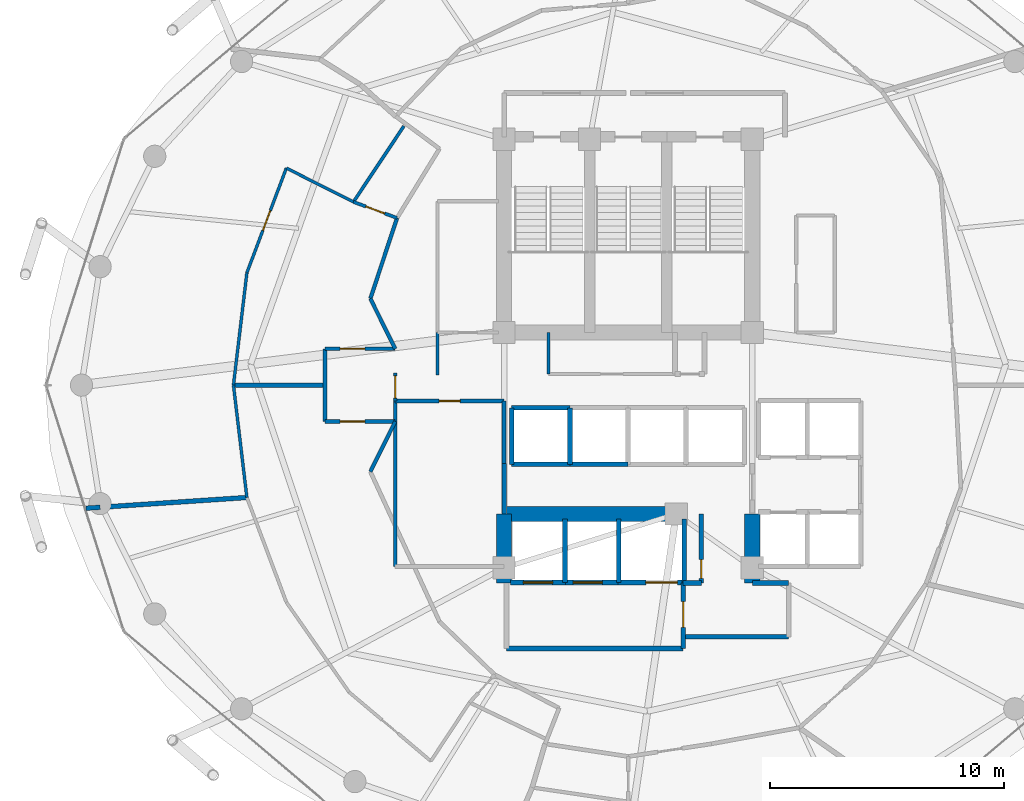
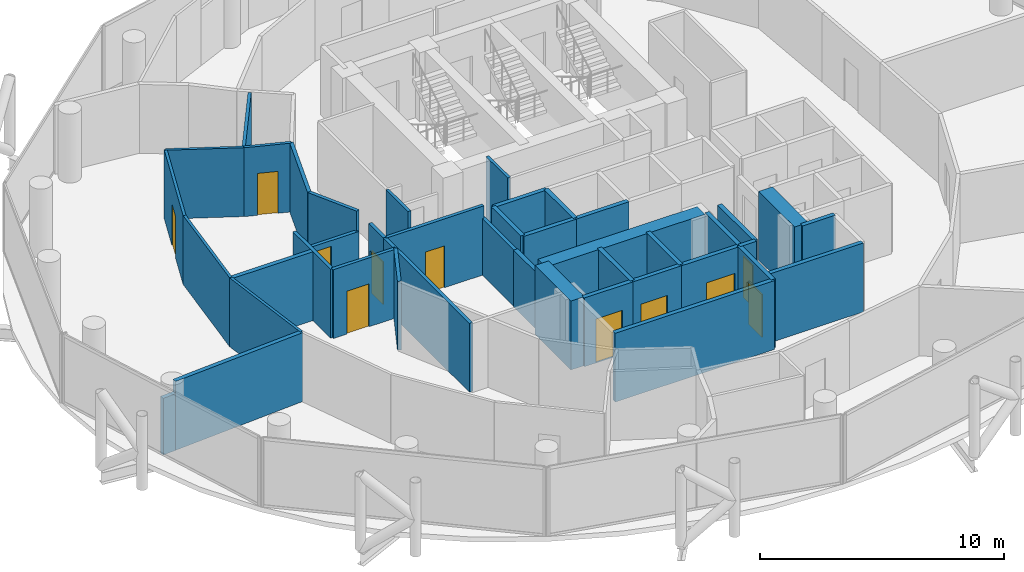
# One storey, part 22 of 27: 42 walls, 11 doors, 11 openings.
"""IFC4 building model written with IfcOpenShell, lengths in metres."""

from ifc_helpers import new_model, si_unit, direction, frame, frame_2d, origin, place, context, subcontext, project, spatial, rectangle, extrude, material, layer, layer_set, type_object, element, fill, save


model = new_model("IFC4")

# Units and contexts
model_context = context("Model", 3, precision=1e-05, world=origin(), true_north=direction((0.0, 1.0)))
body_context = subcontext(model_context, "Body", "Model", "MODEL_VIEW")
ifc_project = project(units=[si_unit("LENGTHUNIT", "METRE"), si_unit("AREAUNIT", "SQUARE_METRE"), si_unit("VOLUMEUNIT", "CUBIC_METRE"), si_unit("PLANEANGLEUNIT", "RADIAN"), si_unit("MASSUNIT", "GRAM", prefix="KILO")], contexts=[model_context])

# Site, building, storey
site_placement = place(None, origin())
site = spatial("IfcSite", under=ifc_project, at=site_placement, CompositionType="ELEMENT")
building_placement = place(site_placement, origin())
building = spatial("IfcBuilding", under=site, at=building_placement, Name="Nuhasar Tower", CompositionType="ELEMENT")
storey_placement = place(building_placement, frame((0.0, 0.0, 158.949951171875)))
storey = spatial("IfcBuildingStorey", under=building, at=storey_placement, Name="L38", CompositionType="ELEMENT", Elevation=158.949951171875)

# Walls
ifc_material_1 = material(Name="Concrete C65/80", Category="concrete")
ifc_layer_1 = layer(ifc_material_1, 0.64990234375)
ifc_layer_set_1 = layer_set([ifc_layer_1], Name="Concrete C65/80")
wall_type_1 = type_object("IfcWallType", Name="WL-CORE-650", PredefinedType="SHEAR", material=ifc_layer_set_1)
for number, where, z_axis, x_axis, name in (
    (1, (33.699951171875, 18.35009765625, 0.0), (0.0, 0.0, 1.0), (0.0, 1.0, 0.0), "L38 Core Shear Wall CW-SW CW-650"),
    (2, (44.300048828125, 18.35009765625, 0.0), (0.0, 0.0, 1.0), (0.0, 1.0, 0.0), "L38 Core Shear Wall CW-SE CW-650"),
):
    element("IfcWall", number, at=place(storey_placement, frame(where, z_axis=z_axis, x_axis=x_axis)), inside=storey, type_object=wall_type_1, Name=name, PredefinedType="SHEAR", context=body_context, shape_type="SweptSolid", body=[
        extrude(rectangle(XDim=2.949951171875, YDim=0.64990234375, at=frame_2d((1.47509765625, 0.0))), origin(), (0.0, 0.0, 1.0), 3.449951171875),
    ])
wall_1_placement = place(storey_placement, frame((33.699951171875, 21.300048828125, 0.0), z_axis=(0.0, 0.0, 1.0), x_axis=(1.0, 0.0, 0.0)))
element("IfcWall", 3, at=wall_1_placement, inside=storey, type_object=wall_type_1, Name="L38 Core Shear Wall CW-S1 CW-650", PredefinedType="SHEAR", context=body_context, shape_type="SweptSolid", body=[
    extrude(rectangle(XDim=7.550048828125, YDim=0.64990234375, at=frame_2d((3.77490234375, 0.0))), origin(), (0.0, 0.0, 1.0), 3.449951171875),
])
ifc_material_2 = material(Name="Gypsum Board", Category="gypsum")
ifc_layer_2 = layer(ifc_material_2, 0.159912109375)
ifc_layer_set_2 = layer_set([ifc_layer_2], Name="Gypsum Board")
wall_type_2 = type_object("IfcWallType", Name="WL-CORR-160", PredefinedType="PARTITIONING", material=ifc_layer_set_2)
wall_2_placement = place(storey_placement, frame((29.050048828125, 19.050048828125, 0.0), z_axis=(0.0, 0.0, 1.0), x_axis=(0.0, 1.0, 0.0)))
element("IfcWall", 4, at=wall_2_placement, inside=storey, type_object=wall_type_2, Name="L38 Interior Partition RECL-B1-W", PredefinedType="PARTITIONING", context=body_context, shape_type="SweptSolid", body=[
    extrude(rectangle(XDim=7.070068359375, YDim=0.159912109375, at=frame_2d((3.53515625, 0.0))), origin(), (0.0, 0.0, 1.0), 3.449951171875),
])
wall_3_placement = place(storey_placement, frame((33.699951171875, 23.449951171875, 0.0), z_axis=(0.0, 0.0, 1.0), x_axis=(0.0, 1.0, 0.0)))
element("IfcWall", 5, at=wall_3_placement, inside=storey, type_object=wall_type_2, Name="L38 Interior Partition RECL-B1-E", PredefinedType="PARTITIONING", context=body_context, shape_type="SweptSolid", body=[
    extrude(rectangle(XDim=2.670166015625, YDim=0.159912109375, at=frame_2d((1.3349609375, 0.0))), origin(), (0.0, 0.0, 1.0), 2.8349609375),
])

# Wall, opening, door
wall_4_placement = place(storey_placement, frame((33.699951171875, 26.1201171875, 0.0), z_axis=(0.0, 0.0, 1.0), x_axis=(-1.0, 0.0, 0.0)))
wall_4 = element("IfcWall", 6, at=wall_4_placement, inside=storey, type_object=wall_type_2, Name="L38 Interior Partition RECL-B1-N", PredefinedType="PARTITIONING", context=body_context, shape_type="SweptSolid", body=[
    extrude(rectangle(XDim=4.64990234375, YDim=0.159912109375, at=frame_2d((2.324951171875, 0.0))), origin(), (0.0, 0.0, 1.0), 3.449951171875),
])
opening_1_placement = place(wall_4_placement, frame((1.875, 0.0, 0.0)))
opening_1 = element("IfcOpeningElement", 7, at=opening_1_placement, cuts=wall_4, Name="Opening DR-01", PredefinedType="OPENING", context=body_context, shape_type="SweptSolid", body=[
    extrude(rectangle(XDim=0.89990234375, YDim=2.10009765625, at=frame_2d((0.449951171875, 1.050048828125))), frame((0.0, 0.08984375, 0.0), z_axis=(0.0, -1.0, 0.0), x_axis=(1.0, 0.0, 0.0)), (0.0, 0.0, 1.0), 0.179931640625),
])
ifc_material_3 = material(Name="Timber Oak", Category="wood")
door_type_1 = type_object("IfcDoorType", Name="DR-ROOM-900", OperationType="NOTDEFINED", PredefinedType="DOOR", material=ifc_material_3)
door_1_placement = place(opening_1_placement, origin())
door_1 = element("IfcDoor", 8, at=door_1_placement, inside=storey, type_object=door_type_1, Name="L38 Butler Store Door", OperationType="SINGLE_SWING_RIGHT", OverallHeight=2.10009765625, OverallWidth=0.89990234375, PredefinedType="DOOR", context=body_context, shape_type="SweptSolid", body=[
    extrude(rectangle(XDim=0.89990234375, YDim=2.10009765625, at=frame_2d((0.449951171875, 1.050048828125))), frame((0.0, 0.02490234375, 0.0), z_axis=(0.0, -1.0, 0.0), x_axis=(1.0, 0.0, 0.0)), (0.0, 0.0, 1.0), 0.050048828125),
])
fill(opening_1, door_1)

wall_5_placement = place(storey_placement, frame((29.050048828125, 26.1201171875, 0.0), z_axis=(0.0, 0.0, 1.0), x_axis=(0.0, 1.0, 0.0)))
wall_5 = element("IfcWall", 9, at=wall_5_placement, inside=storey, type_object=wall_type_2, Name="L38 Interior Partition WVEST-E", PredefinedType="PARTITIONING", context=body_context, shape_type="SweptSolid", body=[
    extrude(rectangle(XDim=1.199951171875, YDim=0.159912109375, at=frame_2d((0.60009765625, 0.0))), origin(), (0.0, 0.0, 1.0), 3.449951171875),
])
opening_2_placement = place(wall_5_placement, frame((0.125, 0.0, 0.0)))
opening_2 = element("IfcOpeningElement", 10, at=opening_2_placement, cuts=wall_5, Name="Opening DO-01", PredefinedType="OPENING", context=body_context, shape_type="SweptSolid", body=[
    extrude(rectangle(XDim=0.949951171875, YDim=2.14990234375, at=frame_2d((0.47509765625, 1.074951171875))), frame((0.0, 0.08984375, 0.0), z_axis=(0.0, -1.0, 0.0), x_axis=(1.0, 0.0, 0.0)), (0.0, 0.0, 1.0), 0.179931640625),
])
door_type_2 = type_object("IfcDoorType", Name="DR-OFFICE-FD30-950", OperationType="NOTDEFINED", PredefinedType="DOOR", material=ifc_material_3)
door_2_placement = place(opening_2_placement, origin())
door_2 = element("IfcDoor", 11, at=door_2_placement, inside=storey, type_object=door_type_2, Name="L38 West Arrival Foyer Core Door", OperationType="SINGLE_SWING_RIGHT", OverallHeight=2.14990234375, OverallWidth=0.949951171875, PredefinedType="DOOR", context=body_context, shape_type="SweptSolid", body=[
    extrude(rectangle(XDim=0.949951171875, YDim=2.14990234375, at=frame_2d((0.47509765625, 1.074951171875))), frame((0.0, 0.02490234375, 0.0), z_axis=(0.0, -1.0, 0.0), x_axis=(1.0, 0.0, 0.0)), (0.0, 0.0, 1.0), 0.050048828125),
])
fill(opening_2, door_2)

# Wall
wall_6_placement = place(storey_placement, frame((29.126953125, 33.93994140625, 0.0), z_axis=(0.0, 0.0, 1.0), x_axis=(-0.313985571683, -0.949427754374, 0.0)))
element("IfcWall", 12, at=wall_6_placement, inside=storey, type_object=wall_type_2, Name="L38 Interior Partition HWEST-CORE-N-20", PredefinedType="PARTITIONING", context=body_context, shape_type="SweptSolid", body=[
    extrude(rectangle(XDim=3.627197265625, YDim=0.159912109375, at=frame_2d((1.8134765625, 0.0))), origin(), (0.0, 0.0, 1.0), 3.449951171875),
])

# Wall, opening, door
wall_7_placement = place(storey_placement, frame((26.050048828125, 28.35009765625, 0.0), z_axis=(0.0, 0.0, 1.0), x_axis=(1.0, 0.0, 0.0)))
wall_7 = element("IfcWall", 13, at=wall_7_placement, inside=storey, type_object=wall_type_2, Name="L38 Interior Partition WVEST-N", PredefinedType="PARTITIONING", context=body_context, shape_type="SweptSolid", body=[
    extrude(rectangle(XDim=3.0, YDim=0.159912109375, at=frame_2d((1.5, 0.0))), origin(), (0.0, 0.0, 1.0), 2.43994140625),
])
opening_3_placement = place(wall_7_placement, frame((0.64990234375, 0.0, 0.0)))
opening_3 = element("IfcOpeningElement", 14, at=opening_3_placement, cuts=wall_7, Name="Opening DU-01", PredefinedType="OPENING", context=body_context, shape_type="SweptSolid", body=[
    extrude(rectangle(XDim=1.050048828125, YDim=2.14990234375, at=frame_2d((0.52490234375, 1.074951171875))), frame((0.0, 0.08984375, 0.0), z_axis=(0.0, -1.0, 0.0), x_axis=(1.0, 0.0, 0.0)), (0.0, 0.0, 1.0), 0.179931640625),
])
door_type_3 = type_object("IfcDoorType", Name="DR-SUITE-FD60-1050", OperationType="NOTDEFINED", PredefinedType="DOOR", material=ifc_material_3)
door_3_placement = place(opening_3_placement, origin())
door_3 = element("IfcDoor", 15, at=door_3_placement, inside=storey, type_object=door_type_3, Name="L38 North-West Sunset Suite Entrance", OperationType="SINGLE_SWING_LEFT", OverallHeight=2.14990234375, OverallWidth=1.050048828125, PredefinedType="DOOR", context=body_context, shape_type="SweptSolid", body=[
    extrude(rectangle(XDim=1.050048828125, YDim=2.14990234375, at=frame_2d((0.52490234375, 1.074951171875))), frame((0.0, 0.02490234375, 0.0), z_axis=(0.0, -1.0, 0.0), x_axis=(1.0, 0.0, 0.0)), (0.0, 0.0, 1.0), 0.050048828125),
])
fill(opening_3, door_3)

wall_8_placement = place(storey_placement, frame((26.050048828125, 25.25, 0.0), z_axis=(0.0, 0.0, 1.0), x_axis=(1.0, 0.0, 0.0)))
wall_8 = element("IfcWall", 16, at=wall_8_placement, inside=storey, type_object=wall_type_2, Name="L38 Interior Partition WVEST-S", PredefinedType="PARTITIONING", context=body_context, shape_type="SweptSolid", body=[
    extrude(rectangle(XDim=3.0, YDim=0.159912109375, at=frame_2d((1.5, 0.0))), origin(), (0.0, 0.0, 1.0), 3.449951171875),
])
opening_4_placement = place(wall_8_placement, frame((0.64990234375, 0.0, 0.0)))
opening_4 = element("IfcOpeningElement", 17, at=opening_4_placement, cuts=wall_8, Name="Opening DU-01", PredefinedType="OPENING", context=body_context, shape_type="SweptSolid", body=[
    extrude(rectangle(XDim=1.050048828125, YDim=2.14990234375, at=frame_2d((0.52490234375, 1.074951171875))), frame((0.0, 0.08984375, 0.0), z_axis=(0.0, -1.0, 0.0), x_axis=(1.0, 0.0, 0.0)), (0.0, 0.0, 1.0), 0.179931640625),
])
door_4_placement = place(opening_4_placement, origin())
door_4 = element("IfcDoor", 18, at=door_4_placement, inside=storey, type_object=door_type_3, Name="L38 South-West Presidential Suite Entrance", OperationType="SINGLE_SWING_LEFT", OverallHeight=2.14990234375, OverallWidth=1.050048828125, PredefinedType="DOOR", context=body_context, shape_type="SweptSolid", body=[
    extrude(rectangle(XDim=1.050048828125, YDim=2.14990234375, at=frame_2d((0.52490234375, 1.074951171875))), frame((0.0, 0.02490234375, 0.0), z_axis=(0.0, -1.0, 0.0), x_axis=(1.0, 0.0, 0.0)), (0.0, 0.0, 1.0), 0.050048828125),
])
fill(opening_4, door_4)

# Walls
wall_9_placement = place(storey_placement, frame((26.050048828125, 25.25, 0.0), z_axis=(0.0, 0.0, 1.0), x_axis=(0.0, 1.0, 0.0)))
element("IfcWall", 19, at=wall_9_placement, inside=storey, type_object=wall_type_2, Name="L38 Interior Partition WVEST-W", PredefinedType="PARTITIONING", context=body_context, shape_type="SweptSolid", body=[
    extrude(rectangle(XDim=3.10009765625, YDim=0.159912109375, at=frame_2d((1.550048828125, 0.0))), origin(), (0.0, 0.0, 1.0), 3.449951171875),
])
for number, where, z_axis, x_axis, name in (
    (20, (27.988037109375, 30.49609375, 0.0), (0.0, 0.0, 1.0), (0.443539160525, -0.896254993337, 0.0), "L38 Interior Partition WVEST-CN"),
    (21, (27.988037109375, 23.10400390625, 0.0), (0.0, 0.0, 1.0), (0.443539160525, 0.896254993337, 0.0), "L38 Interior Partition WVEST-CS"),
):
    element("IfcWall", number, at=place(storey_placement, frame(where, z_axis=z_axis, x_axis=x_axis)), inside=storey, type_object=wall_type_2, Name=name, PredefinedType="PARTITIONING", context=body_context, shape_type="SweptSolid", body=[
        extrude(rectangle(XDim=2.394287109375, YDim=0.159912109375, at=frame_2d((1.197265625, 0.0))), origin(), (0.0, 0.0, 1.0), 3.449951171875),
    ])
ifc_material_4 = material(Name="Concrete C45/55", Category="concrete")
ifc_layer_3 = layer(ifc_material_4, 0.199951171875)
ifc_layer_set_3 = layer_set([ifc_layer_3], Name="Concrete C45/55")
wall_type_3 = type_object("IfcWallType", Name="WL-LOBBY-200", PredefinedType="SOLIDWALL", material=ifc_layer_set_3)
wall_10_placement = place(storey_placement, frame((33.699951171875, 21.300048828125, 0.0), z_axis=(0.0, 0.0, 1.0), x_axis=(0.0, 1.0, 0.0)))
element("IfcWall", 22, at=wall_10_placement, inside=storey, type_object=wall_type_3, Name="L38 Interior Partition LLBH-W", PredefinedType="SOLIDWALL", context=body_context, shape_type="SweptSolid", body=[
    extrude(rectangle(XDim=2.14990234375, YDim=0.199951171875, at=frame_2d((1.074951171875, 0.0))), origin(), (0.0, 0.0, 1.0), 2.8349609375),
])
wall_11_placement = place(storey_placement, frame((33.800048828125, 15.550048828125, 0.0), z_axis=(0.0, 0.0, 1.0), x_axis=(1.0, 0.0, 0.0)))
element("IfcWall", 23, at=wall_11_placement, inside=storey, type_object=wall_type_3, Name="L38 Interior Partition FFL-S", PredefinedType="SOLIDWALL", context=body_context, shape_type="SweptSolid", body=[
    extrude(rectangle(XDim=7.550048828125, YDim=0.199951171875, at=frame_2d((3.77490234375, 0.0))), origin(), (0.0, 0.0, 1.0), 3.449951171875),
])

# Wall, opening, door
wall_12_placement = place(storey_placement, frame((41.35009765625, 15.550048828125, 0.0), z_axis=(0.0, 0.0, 1.0), x_axis=(0.0, 1.0, 0.0)))
wall_12 = element("IfcWall", 24, at=wall_12_placement, inside=storey, type_object=wall_type_3, Name="L38 Interior Partition FFL-E", PredefinedType="SOLIDWALL", context=body_context, shape_type="SweptSolid", body=[
    extrude(rectangle(XDim=2.800048828125, YDim=0.199951171875, at=frame_2d((1.39990234375, 0.0))), origin(), (0.0, 0.0, 1.0), 3.449951171875),
])
opening_5_placement = place(wall_12_placement, frame((0.89990234375, 0.0, 0.0)))
opening_5 = element("IfcOpeningElement", 25, at=opening_5_placement, cuts=wall_12, Name="Opening DS-02", PredefinedType="OPENING", context=body_context, shape_type="SweptSolid", body=[
    extrude(rectangle(XDim=1.10009765625, YDim=2.14990234375, at=frame_2d((0.550048828125, 1.074951171875))), frame((0.0, 0.10986328125, 0.0), z_axis=(0.0, -1.0, 0.0), x_axis=(1.0, 0.0, 0.0)), (0.0, 0.0, 1.0), 0.219970703125),
])
ifc_material_5 = material(Name="Steel S355", Category="steel")
door_type_4 = type_object("IfcDoorType", Name="DR-FFL-FD120-1100", OperationType="NOTDEFINED", PredefinedType="DOOR", material=ifc_material_5)
door_5_placement = place(opening_5_placement, origin())
door_5 = element("IfcDoor", 26, at=door_5_placement, inside=storey, type_object=door_type_4, Name="L38 Firefighting Lobby Door", OperationType="SINGLE_SWING_RIGHT", OverallHeight=2.14990234375, OverallWidth=1.10009765625, PredefinedType="DOOR", context=body_context, shape_type="SweptSolid", body=[
    extrude(rectangle(XDim=1.10009765625, YDim=2.14990234375, at=frame_2d((0.550048828125, 1.074951171875))), frame((0.0, 0.02490234375, 0.0), z_axis=(0.0, -1.0, 0.0), x_axis=(1.0, 0.0, 0.0)), (0.0, 0.0, 1.0), 0.050048828125),
])
fill(opening_5, door_5)

# Walls
wall_13_placement = place(storey_placement, frame((41.35009765625, 16.050048828125, 0.0), z_axis=(0.0, 0.0, 1.0), x_axis=(1.0, 0.0, 0.0)))
element("IfcWall", 27, at=wall_13_placement, inside=storey, type_object=wall_type_3, Name="L38 Interior Partition SVLV-S", PredefinedType="SOLIDWALL", context=body_context, shape_type="SweptSolid", body=[
    extrude(rectangle(XDim=4.5, YDim=0.199951171875, at=frame_2d((2.25, 0.0))), origin(), (0.0, 0.0, 1.0), 3.449951171875),
])
wall_14_placement = place(storey_placement, frame((44.300048828125, 18.35009765625, 0.0), z_axis=(0.0, 0.0, 1.0), x_axis=(1.0, 0.0, 0.0)))
element("IfcWall", 28, at=wall_14_placement, inside=storey, type_object=wall_type_3, Name="L38 Interior Partition SVLV-N", PredefinedType="SOLIDWALL", context=body_context, shape_type="SweptSolid", body=[
    extrude(rectangle(XDim=1.550048828125, YDim=0.199951171875, at=frame_2d((0.77490234375, 0.0))), origin(), (0.0, 0.0, 1.0), 3.449951171875),
])
ifc_layer_4 = layer(ifc_material_2, 0.125)
ifc_layer_set_4 = layer_set([ifc_layer_4], Name="Gypsum Board")
wall_type_4 = type_object("IfcWallType", Name="WL-PART-125", PredefinedType="PARTITIONING", material=ifc_layer_set_4)
wall_15_placement = place(storey_placement, frame((27.264892578125, 34.625, 0.0), z_axis=(0.0, 0.0, 1.0), x_axis=(-0.892916050569, 0.450223196466, 0.0)))
element("IfcWall", 29, at=wall_15_placement, inside=storey, type_object=wall_type_4, Name="L38 Interior Partition HWS1-S", PredefinedType="PARTITIONING", context=body_context, shape_type="SweptSolid", body=[
    extrude(rectangle(XDim=3.209716796875, YDim=0.125, at=frame_2d((1.60498046875, 0.0))), origin(), (0.0, 0.0, 1.0), 3.449951171875),
])

# Wall, opening, door
wall_16_placement = place(storey_placement, frame((24.39892578125, 36.070068359375, 0.0), z_axis=(0.0, 0.0, 1.0), x_axis=(-0.352629336954, -0.935763084717, 0.0)))
wall_16 = element("IfcWall", 30, at=wall_16_placement, inside=storey, type_object=wall_type_4, Name="L38 Interior Partition HWS1-ARC-20", PredefinedType="PARTITIONING", context=body_context, shape_type="SweptSolid", body=[
    extrude(rectangle(XDim=4.77783203125, YDim=0.125, at=frame_2d((2.388916015625, 0.0))), origin(), (0.0, 0.0, 1.0), 3.449951171875),
])
opening_6_placement = place(wall_16_placement, frame((1.93896484375, 0.0, 0.0)))
opening_6 = element("IfcOpeningElement", 31, at=opening_6_placement, cuts=wall_16, Name="Opening DR-01", PredefinedType="OPENING", context=body_context, shape_type="SweptSolid", body=[
    extrude(rectangle(XDim=0.89990234375, YDim=2.10009765625, at=frame_2d((0.449951171875, 1.050048828125))), frame((0.0, 0.072509765625, 0.0), z_axis=(0.0, -1.0, 0.0), x_axis=(1.0, 0.0, 0.0)), (0.0, 0.0, 1.0), 0.14501953125),
])
door_6_placement = place(opening_6_placement, origin())
door_6 = element("IfcDoor", 32, at=door_6_placement, inside=storey, type_object=door_type_1, Name="L38 North-West Sunset Suite Bedroom Door", OperationType="SINGLE_SWING_RIGHT", OverallHeight=2.10009765625, OverallWidth=0.89990234375, PredefinedType="DOOR", context=body_context, shape_type="SweptSolid", body=[
    extrude(rectangle(XDim=0.89990234375, YDim=2.10009765625, at=frame_2d((0.449951171875, 1.050048828125))), frame((0.0, 0.02490234375, 0.0), z_axis=(0.0, -1.0, 0.0), x_axis=(1.0, 0.0, 0.0)), (0.0, 0.0, 1.0), 0.050048828125),
])
fill(opening_6, door_6)

# Walls
for number, where, z_axis, x_axis, name in (
    (33, (22.714111328125, 31.59912109375, 0.0), (0.0, 0.0, 1.0), (-0.118804615011, -0.992917651899, 0.0), "L38 Interior Partition HWS1-ARC-22"),
    (34, (22.139892578125, 26.800048828125, 0.0), (0.0, 0.0, 1.0), (0.118804615011, -0.992917651899, 0.0), "L38 Interior Partition HWS2-ARC-24"),
):
    element("IfcWall", number, at=place(storey_placement, frame(where, z_axis=z_axis, x_axis=x_axis)), inside=storey, type_object=wall_type_4, Name=name, PredefinedType="PARTITIONING", context=body_context, shape_type="SweptSolid", body=[
        extrude(rectangle(XDim=4.833251953125, YDim=0.125, at=frame_2d((2.41650390625, 0.0))), origin(), (0.0, 0.0, 1.0), 3.449951171875),
    ])
ifc_layer_5 = layer(ifc_material_4, 0.199951171875)
ifc_layer_set_5 = layer_set([ifc_layer_5], Name="Concrete C45/55")
wall_type_5 = type_object("IfcWallType", Name="WL-SHAFT-200", PredefinedType="SOLIDWALL", material=ifc_layer_set_5)
for number, where, z_axis, x_axis, name in (
    (35, (34.02001953125, 23.419921875, 0.0), (0.0, 0.0, 1.0), (1.0, 0.0, 0.0), "L38 Interior Partition SHF-PL-H01-S"),
    (36, (34.02001953125, 25.830078125, 0.0), (0.0, 0.0, 1.0), (1.0, 0.0, 0.0), "L38 Interior Partition SHF-PL-H01-N"),
):
    element("IfcWall", number, at=place(storey_placement, frame(where, z_axis=z_axis, x_axis=x_axis)), inside=storey, type_object=wall_type_5, Name=name, PredefinedType="SOLIDWALL", context=body_context, shape_type="SweptSolid", body=[
        extrude(rectangle(XDim=2.5, YDim=0.199951171875, at=frame_2d((1.25, 0.0))), origin(), (0.0, 0.0, 1.0), 3.449951171875),
    ])
for number, where, z_axis, x_axis, name in (
    (37, (34.02001953125, 23.419921875, 0.0), (0.0, 0.0, 1.0), (0.0, 1.0, 0.0), "L38 Interior Partition SHF-PL-H01-W"),
    (38, (36.510009765625, 23.419921875, 0.0), (0.0, 0.0, 1.0), (0.0, 1.0, 0.0), "L38 Interior Partition SHF-PL-H01-E"),
):
    element("IfcWall", number, at=place(storey_placement, frame(where, z_axis=z_axis, x_axis=x_axis)), inside=storey, type_object=wall_type_5, Name=name, PredefinedType="SOLIDWALL", context=body_context, shape_type="SweptSolid", body=[
        extrude(rectangle(XDim=2.41015625, YDim=0.199951171875, at=frame_2d((1.205078125, 0.0))), origin(), (0.0, 0.0, 1.0), 3.449951171875),
    ])
wall_17_placement = place(storey_placement, frame((36.5, 23.419921875, 0.0), z_axis=(0.0, 0.0, 1.0), x_axis=(1.0, 0.0, 0.0)))
element("IfcWall", 39, at=wall_17_placement, inside=storey, type_object=wall_type_5, Name="L38 Interior Partition SHF-PL-H02-S", PredefinedType="SOLIDWALL", context=body_context, shape_type="SweptSolid", body=[
    extrude(rectangle(XDim=2.5, YDim=0.199951171875, at=frame_2d((1.25, 0.0))), origin(), (0.0, 0.0, 1.0), 3.449951171875),
])

# Wall, opening, door
wall_18_placement = place(storey_placement, frame((33.969970703125, 18.3701171875, 0.0), z_axis=(0.0, 0.0, 1.0), x_axis=(1.0, 0.0, 0.0)))
wall_18 = element("IfcWall", 40, at=wall_18_placement, inside=storey, type_object=wall_type_5, Name="L38 Interior Partition SHF-FFL-01-S", PredefinedType="SOLIDWALL", context=body_context, shape_type="SweptSolid", body=[
    extrude(rectangle(XDim=2.360107421875, YDim=0.199951171875, at=frame_2d((1.18017578125, 0.0))), origin(), (0.0, 0.0, 1.0), 3.449951171875),
])
opening_7_placement = place(wall_18_placement, frame((0.554931640625, 0.0, 0.0)))
opening_7 = element("IfcOpeningElement", 41, at=opening_7_placement, cuts=wall_18, Name="Opening LD-F01", PredefinedType="OPENING", context=body_context, shape_type="SweptSolid", body=[
    extrude(rectangle(XDim=1.25, YDim=2.199951171875, at=frame_2d((0.625, 1.10009765625))), frame((0.0, 0.10986328125, 0.0), z_axis=(0.0, -1.0, 0.0), x_axis=(1.0, 0.0, 0.0)), (0.0, 0.0, 1.0), 0.219970703125),
])
ifc_material_6 = material(Name="Stainless Steel 316L", Category="steel")
door_type_5 = type_object("IfcDoorType", Name="LD-FFL-1250", OperationType="DOUBLE_DOOR_SLIDING", PredefinedType="DOOR", material=ifc_material_6)
door_7_placement = place(opening_7_placement, origin())
door_7 = element("IfcDoor", 42, at=door_7_placement, inside=storey, type_object=door_type_5, Name="L38 Lift Landing Door FFL-01", OperationType="DOUBLE_DOOR_SLIDING", OverallHeight=2.199951171875, OverallWidth=1.25, PredefinedType="DOOR", context=body_context, shape_type="SweptSolid", body=[
    extrude(rectangle(XDim=1.25, YDim=2.199951171875, at=frame_2d((0.625, 1.10009765625))), frame((0.0, 0.02490234375, 0.0), z_axis=(0.0, -1.0, 0.0), x_axis=(1.0, 0.0, 0.0)), (0.0, 0.0, 1.0), 0.050048828125),
])
fill(opening_7, door_7)

# Wall
wall_19_placement = place(storey_placement, frame((36.300048828125, 18.3701171875, 0.0), z_axis=(0.0, 0.0, 1.0), x_axis=(0.0, 1.0, 0.0)))
element("IfcWall", 43, at=wall_19_placement, inside=storey, type_object=wall_type_5, Name="L38 Interior Partition SHF-FFL-01-E", PredefinedType="SOLIDWALL", context=body_context, shape_type="SweptSolid", body=[
    extrude(rectangle(XDim=2.7099609375, YDim=0.199951171875, at=frame_2d((1.35498046875, 0.0))), origin(), (0.0, 0.0, 1.0), 3.449951171875),
])

# Wall, opening, door
wall_20_placement = place(storey_placement, frame((36.27001953125, 18.3701171875, 0.0), z_axis=(0.0, 0.0, 1.0), x_axis=(1.0, 0.0, 0.0)))
wall_20 = element("IfcWall", 44, at=wall_20_placement, inside=storey, type_object=wall_type_5, Name="L38 Interior Partition SHF-FFL-02-S", PredefinedType="SOLIDWALL", context=body_context, shape_type="SweptSolid", body=[
    extrude(rectangle(XDim=2.35986328125, YDim=0.199951171875, at=frame_2d((1.179931640625, 0.0))), origin(), (0.0, 0.0, 1.0), 3.449951171875),
])
opening_8_placement = place(wall_20_placement, frame((0.3798828125, 0.0, 0.0)))
opening_8 = element("IfcOpeningElement", 45, at=opening_8_placement, cuts=wall_20, Name="Opening LD-F02", PredefinedType="OPENING", context=body_context, shape_type="SweptSolid", body=[
    extrude(rectangle(XDim=1.25, YDim=2.199951171875, at=frame_2d((0.625, 1.10009765625))), frame((0.0, 0.10986328125, 0.0), z_axis=(0.0, -1.0, 0.0), x_axis=(1.0, 0.0, 0.0)), (0.0, 0.0, 1.0), 0.219970703125),
])
door_8_placement = place(opening_8_placement, origin())
door_8 = element("IfcDoor", 46, at=door_8_placement, inside=storey, type_object=door_type_5, Name="L38 Lift Landing Door FFL-02", OperationType="DOUBLE_DOOR_SLIDING", OverallHeight=2.199951171875, OverallWidth=1.25, PredefinedType="DOOR", context=body_context, shape_type="SweptSolid", body=[
    extrude(rectangle(XDim=1.25, YDim=2.199951171875, at=frame_2d((0.625, 1.10009765625))), frame((0.0, 0.02490234375, 0.0), z_axis=(0.0, -1.0, 0.0), x_axis=(1.0, 0.0, 0.0)), (0.0, 0.0, 1.0), 0.050048828125),
])
fill(opening_8, door_8)

# Wall
wall_21_placement = place(storey_placement, frame((38.60009765625, 18.3701171875, 0.0), z_axis=(0.0, 0.0, 1.0), x_axis=(0.0, 1.0, 0.0)))
element("IfcWall", 47, at=wall_21_placement, inside=storey, type_object=wall_type_5, Name="L38 Interior Partition SHF-FFL-02-E", PredefinedType="SOLIDWALL", context=body_context, shape_type="SweptSolid", body=[
    extrude(rectangle(XDim=2.7099609375, YDim=0.199951171875, at=frame_2d((1.35498046875, 0.0))), origin(), (0.0, 0.0, 1.0), 3.449951171875),
])

# Wall, opening, door
wall_22_placement = place(storey_placement, frame((38.570068359375, 18.3701171875, 0.0), z_axis=(0.0, 0.0, 1.0), x_axis=(1.0, 0.0, 0.0)))
wall_22 = element("IfcWall", 48, at=wall_22_placement, inside=storey, type_object=wall_type_5, Name="L38 Interior Partition SHF-SVL-01-S", PredefinedType="SOLIDWALL", context=body_context, shape_type="SweptSolid", body=[
    extrude(rectangle(XDim=2.829833984375, YDim=0.199951171875, at=frame_2d((1.4150390625, 0.0))), origin(), (0.0, 0.0, 1.0), 3.449951171875),
])
opening_9_placement = place(wall_22_placement, frame((1.179931640625, 0.0, 0.0)))
opening_9 = element("IfcOpeningElement", 49, at=opening_9_placement, cuts=wall_22, Name="Opening LD-S01", PredefinedType="OPENING", context=body_context, shape_type="SweptSolid", body=[
    extrude(rectangle(XDim=1.35009765625, YDim=2.179931640625, at=frame_2d((0.675048828125, 1.08984375))), frame((0.0, 0.10986328125, 0.0), z_axis=(0.0, -1.0, 0.0), x_axis=(1.0, 0.0, 0.0)), (0.0, 0.0, 1.0), 0.219970703125),
])
door_type_6 = type_object("IfcDoorType", Name="LD-SVL-1350", OperationType="DOUBLE_DOOR_SLIDING", PredefinedType="DOOR", material=ifc_material_6)
door_9_placement = place(opening_9_placement, origin())
door_9 = element("IfcDoor", 50, at=door_9_placement, inside=storey, type_object=door_type_6, Name="L38 Lift Landing Door SVL-01", OperationType="DOUBLE_DOOR_SLIDING", OverallHeight=2.179931640625, OverallWidth=1.35009765625, PredefinedType="DOOR", context=body_context, shape_type="SweptSolid", body=[
    extrude(rectangle(XDim=1.35009765625, YDim=2.179931640625, at=frame_2d((0.675048828125, 1.08984375))), frame((0.0, 0.02490234375, 0.0), z_axis=(0.0, -1.0, 0.0), x_axis=(1.0, 0.0, 0.0)), (0.0, 0.0, 1.0), 0.050048828125),
])
fill(opening_9, door_9)

# Wall
wall_23_placement = place(storey_placement, frame((41.39990234375, 18.3701171875, 0.0), z_axis=(0.0, 0.0, 1.0), x_axis=(0.0, 1.0, 0.0)))
element("IfcWall", 51, at=wall_23_placement, inside=storey, type_object=wall_type_5, Name="L38 Interior Partition SHF-SVL-01-E", PredefinedType="SOLIDWALL", context=body_context, shape_type="SweptSolid", body=[
    extrude(rectangle(XDim=2.7099609375, YDim=0.199951171875, at=frame_2d((1.35498046875, 0.0))), origin(), (0.0, 0.0, 1.0), 3.449951171875),
])

# Wall, opening, door
wall_24_placement = place(storey_placement, frame((42.1201171875, 18.35009765625, 0.0), z_axis=(0.0, 0.0, 1.0), x_axis=(0.0, 1.0, 0.0)))
wall_24 = element("IfcWall", 52, at=wall_24_placement, inside=storey, type_object=wall_type_5, Name="L38 Interior Partition RSR-E", PredefinedType="SOLIDWALL", context=body_context, shape_type="SweptSolid", body=[
    extrude(rectangle(XDim=2.949951171875, YDim=0.199951171875, at=frame_2d((1.47509765625, 0.0))), origin(), (0.0, 0.0, 1.0), 3.449951171875),
])
opening_10_placement = place(wall_24_placement, frame((0.199951171875, 0.0, 0.0)))
opening_10 = element("IfcOpeningElement", 53, at=opening_10_placement, cuts=wall_24, Name="Opening DM-01", PredefinedType="OPENING", context=body_context, shape_type="SweptSolid", body=[
    extrude(rectangle(XDim=0.800048828125, YDim=2.050048828125, at=frame_2d((0.39990234375, 1.02490234375))), frame((0.0, 0.10986328125, 0.0), z_axis=(0.0, -1.0, 0.0), x_axis=(1.0, 0.0, 0.0)), (0.0, 0.0, 1.0), 0.219970703125),
])
door_type_7 = type_object("IfcDoorType", Name="DR-RISER-FD60-800", OperationType="NOTDEFINED", PredefinedType="DOOR", material=ifc_material_5)
door_10_placement = place(opening_10_placement, origin())
door_10 = element("IfcDoor", 54, at=door_10_placement, inside=storey, type_object=door_type_7, Name="L38 MEP Riser Access Door", OperationType="SINGLE_SWING_LEFT", OverallHeight=2.050048828125, OverallWidth=0.800048828125, PredefinedType="DOOR", context=body_context, shape_type="SweptSolid", body=[
    extrude(rectangle(XDim=0.800048828125, YDim=2.050048828125, at=frame_2d((0.39990234375, 1.02490234375))), frame((0.0, 0.02490234375, 0.0), z_axis=(0.0, -1.0, 0.0), x_axis=(1.0, 0.0, 0.0)), (0.0, 0.0, 1.0), 0.050048828125),
])
fill(opening_10, door_10)

# Walls
wall_25_placement = place(storey_placement, frame((41.35009765625, 18.35009765625, 0.0), z_axis=(0.0, 0.0, 1.0), x_axis=(1.0, 0.0, 0.0)))
element("IfcWall", 55, at=wall_25_placement, inside=storey, type_object=wall_type_5, Name="L38 Interior Partition RSR-S", PredefinedType="SOLIDWALL", context=body_context, shape_type="SweptSolid", body=[
    extrude(rectangle(XDim=0.77001953125, YDim=0.199951171875, at=frame_2d((0.385009765625, 0.0))), origin(), (0.0, 0.0, 1.0), 3.449951171875),
])
ifc_material_7 = material(Name="Concrete C40/50 precast", Category="concrete")
ifc_layer_6 = layer(ifc_material_7, 0.199951171875)
ifc_layer_set_6 = layer_set([ifc_layer_6], Name="Concrete C40/50 precast")
wall_type_6 = type_object("IfcWallType", Name="WL-UNIT-200", PredefinedType="PARTITIONING", material=ifc_layer_set_6)
wall_26_placement = place(storey_placement, frame((26.050048828125, 26.800048828125, 0.0), z_axis=(0.0, 0.0, 1.0), x_axis=(-1.0, 0.0, 0.0)))
element("IfcWall", 56, at=wall_26_placement, inside=storey, type_object=wall_type_6, Name="L38 Interior Partition HWEST-DIV-IN", PredefinedType="PARTITIONING", context=body_context, shape_type="SweptSolid", body=[
    extrude(rectangle(XDim=3.91015625, YDim=0.199951171875, at=frame_2d((1.955078125, 0.0))), origin(), (0.0, 0.0, 1.0), 3.449951171875),
])
wall_27_placement = place(storey_placement, frame((22.714111328125, 22.0009765625, 0.0), z_axis=(0.0, 0.0, 1.0), x_axis=(-0.997793749083, -0.066390016495, 0.0)))
element("IfcWall", 57, at=wall_27_placement, inside=storey, type_object=wall_type_6, Name="L38 Interior Partition HWEST-DIV-OUT", PredefinedType="PARTITIONING", context=body_context, shape_type="SweptSolid", body=[
    extrude(rectangle(XDim=6.281005859375, YDim=0.199951171875, at=frame_2d((3.140625, 0.0))), origin(), (0.0, 0.0, 1.0), 3.449951171875),
])
wall_28_placement = place(storey_placement, frame((16.447021484375, 21.583984375, 0.0), z_axis=(0.0, 0.0, 1.0), x_axis=(-0.997846662706, -0.065589920915, 0.0)))
element("IfcWall", 58, at=wall_28_placement, inside=storey, type_object=wall_type_6, Name="L38 Interior Partition HWEST-DIV-OUT", PredefinedType="PARTITIONING", context=body_context, shape_type="SweptSolid", body=[
    extrude(rectangle(XDim=0.6103515625, YDim=0.199951171875, at=frame_2d((0.30517578125, 0.0))), origin(), (0.0, 0.0, 1.0), 2.8349609375),
])
ifc_layer_7 = layer(ifc_material_7, 0.139892578125)
ifc_layer_set_7 = layer_set([ifc_layer_7], Name="Concrete C40/50 precast")
wall_type_7 = type_object("IfcWallType", Name="WL-WET-140", PredefinedType="PARTITIONING", material=ifc_layer_set_7)
wall_29_placement = place(storey_placement, frame((35.60009765625, 27.280029296875, 0.0), z_axis=(0.0, 0.0, 1.0), x_axis=(0.0, 1.0, 0.0)))
element("IfcWall", 59, at=wall_29_placement, inside=storey, type_object=wall_type_7, Name="L38 Interior Partition CSVC-W", PredefinedType="PARTITIONING", context=body_context, shape_type="SweptSolid", body=[
    extrude(rectangle(XDim=1.77001953125, YDim=0.139892578125, at=frame_2d((0.885009765625, 0.0))), origin(), (0.0, 0.0, 1.0), 3.449951171875),
])
wall_30_placement = place(storey_placement, frame((30.85009765625, 27.239990234375, 0.0), z_axis=(0.0, 0.0, 1.0), x_axis=(0.0, 1.0, 0.0)))
element("IfcWall", 60, at=wall_30_placement, inside=storey, type_object=wall_type_7, Name="L38 Interior Partition K3-FOY-W", PredefinedType="PARTITIONING", context=body_context, shape_type="SweptSolid", body=[
    extrude(rectangle(XDim=1.81005859375, YDim=0.139892578125, at=frame_2d((0.905029296875, 0.0))), origin(), (0.0, 0.0, 1.0), 3.449951171875),
])

# Wall, opening, door
wall_31_placement = place(storey_placement, frame((27.264892578125, 34.625, 0.0), z_axis=(0.0, 0.0, 1.0), x_axis=(0.938500583084, -0.345277649945, 0.0)))
wall_31 = element("IfcWall", 61, at=wall_31_placement, inside=storey, type_object=wall_type_7, Name="L38 Interior Partition HBW1-S", PredefinedType="PARTITIONING", context=body_context, shape_type="SweptSolid", body=[
    extrude(rectangle(XDim=1.984130859375, YDim=0.139892578125, at=frame_2d((0.9921875, 0.0))), origin(), (0.0, 0.0, 1.0), 3.449951171875),
])
opening_11_placement = place(wall_31_placement, frame((0.56689453125, 0.0, 0.0)))
opening_11 = element("IfcOpeningElement", 62, at=opening_11_placement, cuts=wall_31, Name="Opening DB-01", PredefinedType="OPENING", context=body_context, shape_type="SweptSolid", body=[
    extrude(rectangle(XDim=0.85009765625, YDim=2.10009765625, at=frame_2d((0.425048828125, 1.050048828125))), frame((0.0, 0.080078125, 0.0), z_axis=(0.0, -1.0, 0.0), x_axis=(1.0, 0.0, 0.0)), (0.0, 0.0, 1.0), 0.159912109375),
])
door_type_8 = type_object("IfcDoorType", Name="DR-BATH-850", OperationType="NOTDEFINED", PredefinedType="DOOR", material=ifc_material_3)
door_11_placement = place(opening_11_placement, origin())
door_11 = element("IfcDoor", 63, at=door_11_placement, inside=storey, type_object=door_type_8, Name="L38 North-West Sunset Suite En-Suite Door", OperationType="SINGLE_SWING_LEFT", OverallHeight=2.10009765625, OverallWidth=0.85009765625, PredefinedType="DOOR", context=body_context, shape_type="SweptSolid", body=[
    extrude(rectangle(XDim=0.85009765625, YDim=2.10009765625, at=frame_2d((0.425048828125, 1.050048828125))), frame((0.0, 0.02490234375, 0.0), z_axis=(0.0, -1.0, 0.0), x_axis=(1.0, 0.0, 0.0)), (0.0, 0.0, 1.0), 0.050048828125),
])
fill(opening_11, door_11)

# Wall
wall_32_placement = place(storey_placement, frame((29.4189453125, 37.865966796875, 0.0), z_axis=(0.0, 0.0, 1.0), x_axis=(-0.553526949376, -0.832831265212, 0.0)))
element("IfcWall", 64, at=wall_32_placement, inside=storey, type_object=wall_type_7, Name="L38 Interior Partition HBW1-E", PredefinedType="PARTITIONING", context=body_context, shape_type="SweptSolid", body=[
    extrude(rectangle(XDim=3.8916015625, YDim=0.139892578125, at=frame_2d((1.94580078125, 0.0))), origin(), (0.0, 0.0, 1.0), 3.449951171875),
])

save(model, "model.ifc")
